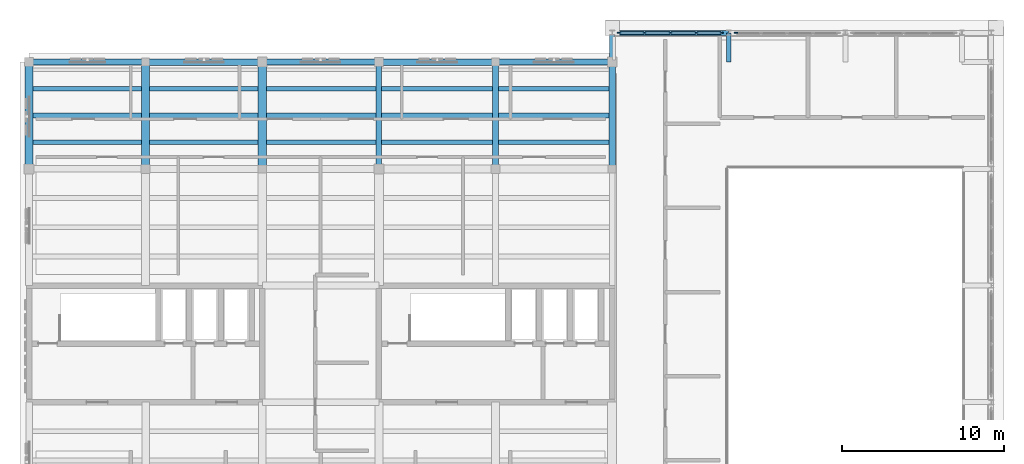
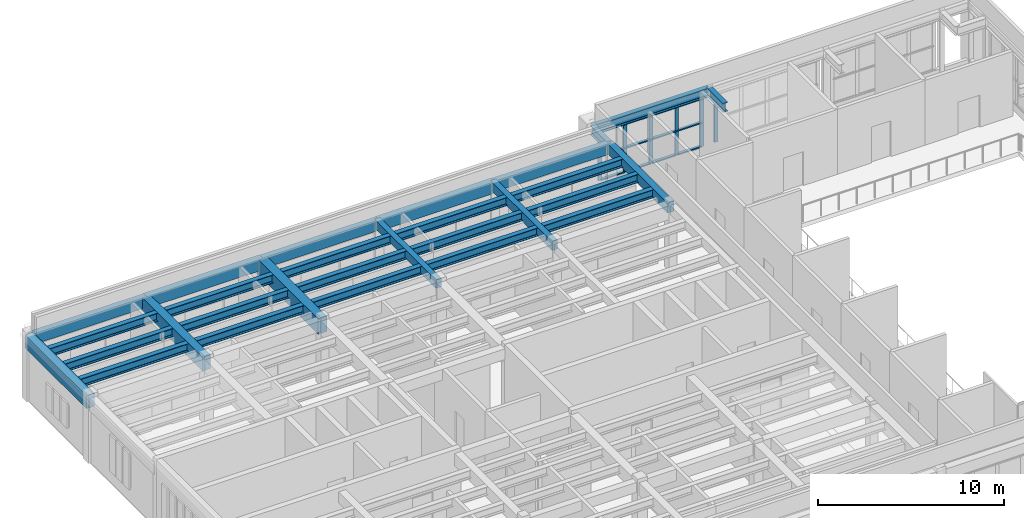
# One storey, part 9 of 18: 29 beams, 18 members, 2 elements without a shape of their own.
"""IFC4 building model written with IfcOpenShell, lengths in metres."""

from ifc_helpers import new_model, si_unit, direction, frame, origin, origin_2d, place, context, subcontext, project, spatial, rectangle, i_section, extrude, material, material_profile, profile_set, type_object, element, aggregate, save


model = new_model("IFC4")

# Units and contexts
model_context = context("Model", 3, precision=1e-05, world=origin(), true_north=direction((0.0, 1.0)))
body_context = subcontext(model_context, "Body", "Model", "MODEL_VIEW")
ifc_project = project(units=[si_unit("LENGTHUNIT", "METRE"), si_unit("AREAUNIT", "SQUARE_METRE"), si_unit("VOLUMEUNIT", "CUBIC_METRE"), si_unit("PLANEANGLEUNIT", "RADIAN"), si_unit("MASSUNIT", "GRAM", prefix="KILO")], contexts=[model_context])

# Site, building, storey
site_placement = place(None, origin())
site = spatial("IfcSite", under=ifc_project, at=site_placement, CompositionType="ELEMENT")
building_placement = place(site_placement, origin())
building = spatial("IfcBuilding", under=site, at=building_placement, Name="Mithqara Police Headquarters", CompositionType="ELEMENT")
storey_placement = place(building_placement, frame((0.0, 0.0, 30.89990234375)))
storey = spatial("IfcBuildingStorey", under=building, at=storey_placement, Name="L07", CompositionType="ELEMENT", Elevation=30.89990234375)

# Beams
ifc_material_1 = material(Name="Steel S355JR", Category="steel")
ifc_material_profile_1 = material_profile(ifc_material_1, i_section(OverallWidth=0.300048828125, OverallDepth=0.550048828125, WebThickness=0.014892578125, FlangeThickness=0.029052734375, FilletRadius=0.027099609375, at=origin_2d()), Name="HEB 550")
ifc_profile_set_1 = profile_set([ifc_material_profile_1], Name="Steel S355JR")
beam_type_1 = type_object("IfcBeamType", Name="BEAM HEB550", PredefinedType="BEAM", material=ifc_profile_set_1)
for number, where, z_axis, x_axis, name in (
    (1, (108.85009765625, 109.050048828125, 3.97509765625), (1.0, 0.0, 0.0), (0.0, 1.0, 0.0), "L07 Composite Steel Joist 16-17/R.1"),
    (2, (108.85009765625, 110.699951171875, 3.97509765625), (1.0, 0.0, 0.0), (0.0, 1.0, 0.0), "L07 Composite Steel Joist 16-17/R.2"),
    (3, (108.85009765625, 112.35009765625, 3.97509765625), (1.0, 0.0, 0.0), (0.0, 1.0, 0.0), "L07 Composite Steel Joist 16-17/R.3"),
):
    element("IfcBeam", number, at=place(storey_placement, frame(where, z_axis=z_axis, x_axis=x_axis)), inside=storey, type_object=beam_type_1, Name=name, PredefinedType="BEAM", context=body_context, shape_type="SweptSolid", body=[
        extrude(i_section(OverallWidth=0.300048828125, OverallDepth=0.550048828125, WebThickness=0.014892578125, FlangeThickness=0.029052734375, FilletRadius=0.027099609375, at=origin_2d()), origin(), (0.0, 0.0, 1.0), 6.699951171875),
    ])
for number, where, z_axis, x_axis, name in (
    (4, (116.050048828125, 109.050048828125, 3.97509765625), (1.0, 0.0, 0.0), (0.0, 1.0, 0.0), "L07 Composite Steel Joist 17-18/R.1"),
    (5, (116.050048828125, 110.699951171875, 3.97509765625), (1.0, 0.0, 0.0), (0.0, 1.0, 0.0), "L07 Composite Steel Joist 17-18/R.2"),
    (6, (116.050048828125, 112.35009765625, 3.97509765625), (1.0, 0.0, 0.0), (0.0, 1.0, 0.0), "L07 Composite Steel Joist 17-18/R.3"),
):
    element("IfcBeam", number, at=place(storey_placement, frame(where, z_axis=z_axis, x_axis=x_axis)), inside=storey, type_object=beam_type_1, Name=name, PredefinedType="BEAM", context=body_context, shape_type="SweptSolid", body=[
        extrude(i_section(OverallWidth=0.300048828125, OverallDepth=0.550048828125, WebThickness=0.014892578125, FlangeThickness=0.029052734375, FilletRadius=0.027099609375, at=origin_2d()), origin(), (0.0, 0.0, 1.0), 6.675048828125),
    ])
for number, where, z_axis, x_axis, name in (
    (7, (123.27490234375, 109.050048828125, 3.97509765625), (1.0, 0.0, 0.0), (0.0, 1.0, 0.0), "L07 Composite Steel Joist 18-19/R.1"),
    (8, (123.27490234375, 110.699951171875, 3.97509765625), (1.0, 0.0, 0.0), (0.0, 1.0, 0.0), "L07 Composite Steel Joist 18-19/R.2"),
    (9, (123.27490234375, 112.35009765625, 3.97509765625), (1.0, 0.0, 0.0), (0.0, 1.0, 0.0), "L07 Composite Steel Joist 18-19/R.3"),
):
    element("IfcBeam", number, at=place(storey_placement, frame(where, z_axis=z_axis, x_axis=x_axis)), inside=storey, type_object=beam_type_1, Name=name, PredefinedType="BEAM", context=body_context, shape_type="SweptSolid", body=[
        extrude(i_section(OverallWidth=0.300048828125, OverallDepth=0.550048828125, WebThickness=0.014892578125, FlangeThickness=0.029052734375, FilletRadius=0.027099609375, at=origin_2d()), origin(), (0.0, 0.0, 1.0), 6.75),
    ])
for number, where, z_axis, x_axis, name in (
    (10, (130.375, 109.050048828125, 3.97509765625), (1.0, 0.0, 0.0), (0.0, 1.0, 0.0), "L07 Composite Steel Joist 19-20/R.1"),
    (11, (130.375, 110.699951171875, 3.97509765625), (1.0, 0.0, 0.0), (0.0, 1.0, 0.0), "L07 Composite Steel Joist 19-20/R.2"),
    (12, (130.375, 112.35009765625, 3.97509765625), (1.0, 0.0, 0.0), (0.0, 1.0, 0.0), "L07 Composite Steel Joist 19-20/R.3"),
):
    element("IfcBeam", number, at=place(storey_placement, frame(where, z_axis=z_axis, x_axis=x_axis)), inside=storey, type_object=beam_type_1, Name=name, PredefinedType="BEAM", context=body_context, shape_type="SweptSolid", body=[
        extrude(i_section(OverallWidth=0.300048828125, OverallDepth=0.550048828125, WebThickness=0.014892578125, FlangeThickness=0.029052734375, FilletRadius=0.027099609375, at=origin_2d()), origin(), (0.0, 0.0, 1.0), 6.85009765625),
    ])
for number, where, z_axis, x_axis, name in (
    (13, (137.574951171875, 109.050048828125, 3.97509765625), (1.0, 0.0, 0.0), (0.0, 1.0, 0.0), "L07 Composite Steel Joist 20-21/R.1"),
    (14, (137.574951171875, 110.699951171875, 3.97509765625), (1.0, 0.0, 0.0), (0.0, 1.0, 0.0), "L07 Composite Steel Joist 20-21/R.2"),
    (15, (137.574951171875, 112.35009765625, 3.97509765625), (1.0, 0.0, 0.0), (0.0, 1.0, 0.0), "L07 Composite Steel Joist 20-21/R.3"),
):
    element("IfcBeam", number, at=place(storey_placement, frame(where, z_axis=z_axis, x_axis=x_axis)), inside=storey, type_object=beam_type_1, Name=name, PredefinedType="BEAM", context=body_context, shape_type="SweptSolid", body=[
        extrude(i_section(OverallWidth=0.300048828125, OverallDepth=0.550048828125, WebThickness=0.014892578125, FlangeThickness=0.029052734375, FilletRadius=0.027099609375, at=origin_2d()), origin(), (0.0, 0.0, 1.0), 6.824951171875),
    ])
ifc_material_2 = material(Name="Concrete C40/50", Category="concrete")
ifc_material_profile_2 = material_profile(ifc_material_2, rectangle(XDim=0.35009765625, YDim=0.550048828125, at=origin_2d()), Name="RC 350x550")
ifc_profile_set_2 = profile_set([ifc_material_profile_2], Name="Concrete C40/50")
beam_type_2 = type_object("IfcBeamType", Name="BEAM RC350X550", PredefinedType="BEAM", material=ifc_profile_set_2)
beam_1_placement = place(storey_placement, frame((130.199951171875, 107.39990234375, 3.97509765625), z_axis=(0.0, 1.0, 0.0), x_axis=(-1.0, 0.0, 0.0)))
element("IfcBeam", 16, at=beam_1_placement, inside=storey, type_object=beam_type_2, Name="L07 Girder 19/R-S", PredefinedType="BEAM", context=body_context, shape_type="SweptSolid", body=[
    extrude(rectangle(XDim=0.35009765625, YDim=0.550048828125, at=origin_2d()), origin(), (0.0, 0.0, 1.0), 6.60009765625),
])
ifc_material_profile_3 = material_profile(ifc_material_2, rectangle(XDim=0.35009765625, YDim=0.60009765625, at=origin_2d()), Name="RC 350x600")
ifc_profile_set_3 = profile_set([ifc_material_profile_3], Name="Concrete C40/50")
beam_type_3 = type_object("IfcBeamType", Name="BEAM RC350X600", PredefinedType="BEAM", material=ifc_profile_set_3)
beam_2_placement = place(storey_placement, frame((137.39990234375, 107.39990234375, 3.9501953125), z_axis=(0.0, 1.0, 0.0), x_axis=(-1.0, 0.0, 0.0)))
element("IfcBeam", 17, at=beam_2_placement, inside=storey, type_object=beam_type_3, Name="L07 Girder 20/R-S", PredefinedType="BEAM", context=body_context, shape_type="SweptSolid", body=[
    extrude(rectangle(XDim=0.35009765625, YDim=0.60009765625, at=origin_2d()), origin(), (0.0, 0.0, 1.0), 6.60009765625),
])
ifc_material_profile_4 = material_profile(ifc_material_2, rectangle(XDim=0.39990234375, YDim=0.64990234375, at=origin_2d()), Name="RC 400x650")
ifc_profile_set_4 = profile_set([ifc_material_profile_4], Name="Concrete C40/50")
beam_type_4 = type_object("IfcBeamType", Name="BEAM RC400X650", PredefinedType="BEAM", material=ifc_profile_set_4)
beam_3_placement = place(storey_placement, frame((144.60009765625, 107.39990234375, 3.925048828125), z_axis=(0.0, 1.0, 0.0), x_axis=(-1.0, 0.0, 0.0)))
element("IfcBeam", 18, at=beam_3_placement, inside=storey, type_object=beam_type_4, Name="L07 Girder 21/R-S", PredefinedType="BEAM", context=body_context, shape_type="SweptSolid", body=[
    extrude(rectangle(XDim=0.39990234375, YDim=0.64990234375, at=origin_2d()), origin(), (0.0, 0.0, 1.0), 6.60009765625),
])
ifc_material_profile_5 = material_profile(ifc_material_2, rectangle(XDim=0.5, YDim=0.85009765625, at=origin_2d()), Name="RC 500x850")
ifc_profile_set_5 = profile_set([ifc_material_profile_5], Name="Concrete C40/50")
beam_type_5 = type_object("IfcBeamType", Name="BEAM RC500X850", PredefinedType="BEAM", material=ifc_profile_set_5)
beam_4_placement = place(storey_placement, frame((108.60009765625, 107.39990234375, 3.8251953125), z_axis=(0.0, 1.0, 0.0), x_axis=(-1.0, 0.0, 0.0)))
element("IfcBeam", 19, at=beam_4_placement, inside=storey, type_object=beam_type_5, Name="L07 Girder 16/R-S", PredefinedType="BEAM", context=body_context, shape_type="SweptSolid", body=[
    extrude(rectangle(XDim=0.5, YDim=0.85009765625, at=origin_2d()), origin(), (0.0, 0.0, 1.0), 6.60009765625),
])
ifc_material_3 = material(Name="Concrete C50/60", Category="concrete")
ifc_material_profile_6 = material_profile(ifc_material_3, rectangle(XDim=0.5, YDim=0.89990234375, at=origin_2d()), Name="RC 500x900")
ifc_profile_set_6 = profile_set([ifc_material_profile_6], Name="Concrete C50/60")
beam_type_6 = type_object("IfcBeamType", Name="BEAM RC500X900", PredefinedType="BEAM", material=ifc_profile_set_6)
beam_5_placement = place(storey_placement, frame((115.800048828125, 107.39990234375, 3.800048828125), z_axis=(0.0, 1.0, 0.0), x_axis=(-1.0, 0.0, 0.0)))
element("IfcBeam", 20, at=beam_5_placement, inside=storey, type_object=beam_type_6, Name="L07 Girder 17/R-S", PredefinedType="BEAM", context=body_context, shape_type="SweptSolid", body=[
    extrude(rectangle(XDim=0.5, YDim=0.89990234375, at=origin_2d()), origin(), (0.0, 0.0, 1.0), 6.60009765625),
])
ifc_material_profile_7 = material_profile(ifc_material_3, rectangle(XDim=0.550048828125, YDim=1.0, at=origin_2d()), Name="RC 550x1000")
ifc_profile_set_7 = profile_set([ifc_material_profile_7], Name="Concrete C50/60")
beam_type_7 = type_object("IfcBeamType", Name="BEAM RC550X1000", PredefinedType="BEAM", material=ifc_profile_set_7)
beam_6_placement = place(storey_placement, frame((123.0, 107.39990234375, 3.75), z_axis=(0.0, 1.0, 0.0), x_axis=(-1.0, 0.0, 0.0)))
element("IfcBeam", 21, at=beam_6_placement, inside=storey, type_object=beam_type_7, Name="L07 Girder 18/R-S", PredefinedType="BEAM", context=body_context, shape_type="SweptSolid", body=[
    extrude(rectangle(XDim=0.550048828125, YDim=1.0, at=origin_2d()), origin(), (0.0, 0.0, 1.0), 6.60009765625),
])

# Curtain wall, member
ifc_material_4 = material(Name="Bronze anodised aluminium 6063-T6", Category="aluminium")
curtain_wall_type = type_object("IfcCurtainWallType", Name="CURTAIN WALL 6400X3200", PredefinedType="USERDEFINED", material=ifc_material_4)
curtain_wall_1_placement = place(storey_placement, origin())
curtain_wall_1 = element("IfcCurtainWall", 22, at=curtain_wall_1_placement, inside=storey, type_object=curtain_wall_type, Name="L07 Unitised Glazing CW-09 (CW-CUBE-L07-P0-E03-S0-01)", ObjectType="UNITISED GLAZING", PredefinedType="USERDEFINED")
ifc_material_profile_8 = material_profile(ifc_material_4, rectangle(XDim=0.074951171875, YDim=0.219970703125, at=origin_2d()), Name="CWM 75x220")
ifc_profile_set_8 = profile_set([ifc_material_profile_8], Name="Bronze anodised aluminium 6063-T6")
member_type_1 = type_object("IfcMemberType", Name="CWMULLION 75X220", PredefinedType="MULLION", material=ifc_profile_set_8)
member_1_placement = place(storey_placement, frame((152.237548828125, 115.800048828125, 0.4501953125), z_axis=(0.0, 0.0, 1.0), x_axis=(0.0, -1.0, 0.0)))
member_1 = element("IfcMember", 23, at=member_1_placement, type_object=member_type_1, Name="CW-09 mullion 5", PredefinedType="MULLION", context=body_context, shape_type="SweptSolid", body=[
    extrude(rectangle(XDim=0.074951171875, YDim=0.219970703125, at=origin_2d()), origin(), (0.0, 0.0, 1.0), 3.199951171875),
])
aggregate(curtain_wall_1, [member_1])

# Curtain wall, members
curtain_wall_2_placement = place(storey_placement, origin())
curtain_wall_2 = element("IfcCurtainWall", 24, at=curtain_wall_2_placement, inside=storey, type_object=curtain_wall_type, Name="L07 Unitised Glazing CW-09 (CW-CUBE-L07-P0-E03-S0-02)", ObjectType="UNITISED GLAZING", PredefinedType="USERDEFINED")
member_2_placement = place(storey_placement, frame((151.362548828125, 115.800048828125, 0.4501953125), z_axis=(0.0, 0.0, 1.0), x_axis=(0.0, -1.0, 0.0)))
member_2 = element("IfcMember", 25, at=member_2_placement, type_object=member_type_1, Name="CW-09 mullion 1", PredefinedType="MULLION", context=body_context, shape_type="SweptSolid", body=[
    extrude(rectangle(XDim=0.074951171875, YDim=0.219970703125, at=origin_2d()), origin(), (0.0, 0.0, 1.0), 3.199951171875),
])
member_3_placement = place(storey_placement, frame((149.800048828125, 115.800048828125, 0.4501953125), z_axis=(0.0, 0.0, 1.0), x_axis=(0.0, -1.0, 0.0)))
member_3 = element("IfcMember", 26, at=member_3_placement, type_object=member_type_1, Name="CW-09 mullion 2", PredefinedType="MULLION", context=body_context, shape_type="SweptSolid", body=[
    extrude(rectangle(XDim=0.074951171875, YDim=0.219970703125, at=origin_2d()), origin(), (0.0, 0.0, 1.0), 3.199951171875),
])
member_4_placement = place(storey_placement, frame((148.199951171875, 115.800048828125, 0.4501953125), z_axis=(0.0, 0.0, 1.0), x_axis=(0.0, -1.0, 0.0)))
member_4 = element("IfcMember", 27, at=member_4_placement, type_object=member_type_1, Name="CW-09 mullion 3", PredefinedType="MULLION", context=body_context, shape_type="SweptSolid", body=[
    extrude(rectangle(XDim=0.074951171875, YDim=0.219970703125, at=origin_2d()), origin(), (0.0, 0.0, 1.0), 3.199951171875),
])
member_5_placement = place(storey_placement, frame((146.60009765625, 115.800048828125, 0.4501953125), z_axis=(0.0, 0.0, 1.0), x_axis=(0.0, -1.0, 0.0)))
member_5 = element("IfcMember", 28, at=member_5_placement, type_object=member_type_1, Name="CW-09 mullion 4", PredefinedType="MULLION", context=body_context, shape_type="SweptSolid", body=[
    extrude(rectangle(XDim=0.074951171875, YDim=0.219970703125, at=origin_2d()), origin(), (0.0, 0.0, 1.0), 3.199951171875),
])
member_6_placement = place(storey_placement, frame((145.03759765625, 115.800048828125, 0.4501953125), z_axis=(0.0, 0.0, 1.0), x_axis=(0.0, -1.0, 0.0)))
member_6 = element("IfcMember", 29, at=member_6_placement, type_object=member_type_1, Name="CW-09 mullion 5", PredefinedType="MULLION", context=body_context, shape_type="SweptSolid", body=[
    extrude(rectangle(XDim=0.074951171875, YDim=0.219970703125, at=origin_2d()), origin(), (0.0, 0.0, 1.0), 3.199951171875),
])
ifc_material_profile_9 = material_profile(ifc_material_4, rectangle(XDim=0.179931640625, YDim=0.074951171875, at=origin_2d()), Name="CWT 180x75")
ifc_profile_set_9 = profile_set([ifc_material_profile_9], Name="Bronze anodised aluminium 6063-T6")
member_type_2 = type_object("IfcMemberType", Name="CWTRANSOM 180X75", PredefinedType="USERDEFINED", material=ifc_profile_set_9)
member_7_placement = place(storey_placement, frame((151.324951171875, 115.800048828125, 0.487548828125), z_axis=(-1.0, 0.0, 0.0), x_axis=(0.0, -1.0, 0.0)))
member_7 = element("IfcMember", 30, at=member_7_placement, type_object=member_type_2, Name="CW-09 transom 1.1", ObjectType="TRANSOM", PredefinedType="USERDEFINED", context=body_context, shape_type="SweptSolid", body=[
    extrude(rectangle(XDim=0.179931640625, YDim=0.074951171875, at=origin_2d()), origin(), (0.0, 0.0, 1.0), 1.487548828125),
])
member_8_placement = place(storey_placement, frame((151.324951171875, 115.800048828125, 2.050048828125), z_axis=(-1.0, 0.0, 0.0), x_axis=(0.0, -1.0, 0.0)))
member_8 = element("IfcMember", 31, at=member_8_placement, type_object=member_type_2, Name="CW-09 transom 1.2", ObjectType="TRANSOM", PredefinedType="USERDEFINED", context=body_context, shape_type="SweptSolid", body=[
    extrude(rectangle(XDim=0.179931640625, YDim=0.074951171875, at=origin_2d()), origin(), (0.0, 0.0, 1.0), 1.487548828125),
])
member_9_placement = place(storey_placement, frame((151.324951171875, 115.800048828125, 3.612548828125), z_axis=(-1.0, 0.0, 0.0), x_axis=(0.0, -1.0, 0.0)))
member_9 = element("IfcMember", 32, at=member_9_placement, type_object=member_type_2, Name="CW-09 transom 1.3", ObjectType="TRANSOM", PredefinedType="USERDEFINED", context=body_context, shape_type="SweptSolid", body=[
    extrude(rectangle(XDim=0.179931640625, YDim=0.074951171875, at=origin_2d()), origin(), (0.0, 0.0, 1.0), 1.487548828125),
])
member_10_placement = place(storey_placement, frame((149.762451171875, 115.800048828125, 0.487548828125), z_axis=(-1.0, 0.0, 0.0), x_axis=(0.0, -1.0, 0.0)))
member_10 = element("IfcMember", 33, at=member_10_placement, type_object=member_type_2, Name="CW-09 transom 2.1", ObjectType="TRANSOM", PredefinedType="USERDEFINED", context=body_context, shape_type="SweptSolid", body=[
    extrude(rectangle(XDim=0.179931640625, YDim=0.074951171875, at=origin_2d()), origin(), (0.0, 0.0, 1.0), 1.52490234375),
])
member_11_placement = place(storey_placement, frame((149.762451171875, 115.800048828125, 2.050048828125), z_axis=(-1.0, 0.0, 0.0), x_axis=(0.0, -1.0, 0.0)))
member_11 = element("IfcMember", 34, at=member_11_placement, type_object=member_type_2, Name="CW-09 transom 2.2", ObjectType="TRANSOM", PredefinedType="USERDEFINED", context=body_context, shape_type="SweptSolid", body=[
    extrude(rectangle(XDim=0.179931640625, YDim=0.074951171875, at=origin_2d()), origin(), (0.0, 0.0, 1.0), 1.52490234375),
])
member_12_placement = place(storey_placement, frame((149.762451171875, 115.800048828125, 3.612548828125), z_axis=(-1.0, 0.0, 0.0), x_axis=(0.0, -1.0, 0.0)))
member_12 = element("IfcMember", 35, at=member_12_placement, type_object=member_type_2, Name="CW-09 transom 2.3", ObjectType="TRANSOM", PredefinedType="USERDEFINED", context=body_context, shape_type="SweptSolid", body=[
    extrude(rectangle(XDim=0.179931640625, YDim=0.074951171875, at=origin_2d()), origin(), (0.0, 0.0, 1.0), 1.52490234375),
])
member_13_placement = place(storey_placement, frame((148.16259765625, 115.800048828125, 0.487548828125), z_axis=(-1.0, 0.0, 0.0), x_axis=(0.0, -1.0, 0.0)))
member_13 = element("IfcMember", 36, at=member_13_placement, type_object=member_type_2, Name="CW-09 transom 3.1", ObjectType="TRANSOM", PredefinedType="USERDEFINED", context=body_context, shape_type="SweptSolid", body=[
    extrude(rectangle(XDim=0.179931640625, YDim=0.074951171875, at=origin_2d()), origin(), (0.0, 0.0, 1.0), 1.525146484375),
])
member_14_placement = place(storey_placement, frame((148.16259765625, 115.800048828125, 2.050048828125), z_axis=(-1.0, 0.0, 0.0), x_axis=(0.0, -1.0, 0.0)))
member_14 = element("IfcMember", 37, at=member_14_placement, type_object=member_type_2, Name="CW-09 transom 3.2", ObjectType="TRANSOM", PredefinedType="USERDEFINED", context=body_context, shape_type="SweptSolid", body=[
    extrude(rectangle(XDim=0.179931640625, YDim=0.074951171875, at=origin_2d()), origin(), (0.0, 0.0, 1.0), 1.525146484375),
])
member_15_placement = place(storey_placement, frame((148.16259765625, 115.800048828125, 3.612548828125), z_axis=(-1.0, 0.0, 0.0), x_axis=(0.0, -1.0, 0.0)))
member_15 = element("IfcMember", 38, at=member_15_placement, type_object=member_type_2, Name="CW-09 transom 3.3", ObjectType="TRANSOM", PredefinedType="USERDEFINED", context=body_context, shape_type="SweptSolid", body=[
    extrude(rectangle(XDim=0.179931640625, YDim=0.074951171875, at=origin_2d()), origin(), (0.0, 0.0, 1.0), 1.525146484375),
])
member_16_placement = place(storey_placement, frame((146.5625, 115.800048828125, 0.487548828125), z_axis=(-1.0, 0.0, 0.0), x_axis=(0.0, -1.0, 0.0)))
member_16 = element("IfcMember", 39, at=member_16_placement, type_object=member_type_2, Name="CW-09 transom 4.1", ObjectType="TRANSOM", PredefinedType="USERDEFINED", context=body_context, shape_type="SweptSolid", body=[
    extrude(rectangle(XDim=0.179931640625, YDim=0.074951171875, at=origin_2d()), origin(), (0.0, 0.0, 1.0), 1.487548828125),
])
member_17_placement = place(storey_placement, frame((146.5625, 115.800048828125, 2.050048828125), z_axis=(-1.0, 0.0, 0.0), x_axis=(0.0, -1.0, 0.0)))
member_17 = element("IfcMember", 40, at=member_17_placement, type_object=member_type_2, Name="CW-09 transom 4.2", ObjectType="TRANSOM", PredefinedType="USERDEFINED", context=body_context, shape_type="SweptSolid", body=[
    extrude(rectangle(XDim=0.179931640625, YDim=0.074951171875, at=origin_2d()), origin(), (0.0, 0.0, 1.0), 1.487548828125),
])
member_18_placement = place(storey_placement, frame((146.5625, 115.800048828125, 3.612548828125), z_axis=(-1.0, 0.0, 0.0), x_axis=(0.0, -1.0, 0.0)))
member_18 = element("IfcMember", 41, at=member_18_placement, type_object=member_type_2, Name="CW-09 transom 4.3", ObjectType="TRANSOM", PredefinedType="USERDEFINED", context=body_context, shape_type="SweptSolid", body=[
    extrude(rectangle(XDim=0.179931640625, YDim=0.074951171875, at=origin_2d()), origin(), (0.0, 0.0, 1.0), 1.487548828125),
])
aggregate(curtain_wall_2, [member_2, member_3, member_4, member_5, member_6, member_7, member_8, member_9, member_10, member_11, member_12, member_13, member_14, member_15, member_16, member_17, member_18])

# Beams
ifc_material_profile_10 = material_profile(ifc_material_2, rectangle(XDim=0.35009765625, YDim=0.699951171875, at=origin_2d()), Name="SPB 350x700")
ifc_profile_set_10 = profile_set([ifc_material_profile_10], Name="Concrete C40/50")
beam_type_8 = type_object("IfcBeamType", Name="SPANDREL 350X700", PredefinedType="SPANDREL", material=ifc_profile_set_10)
for number, where, z_axis, x_axis, name in (
    (42, (108.60009765625, 114.0, 3.900146484375), (1.0, 0.0, 0.0), (0.0, 1.0, 0.0), "L07 Girder 16-17/S"),
    (43, (123.0, 114.0, 3.900146484375), (1.0, 0.0, 0.0), (0.0, 1.0, 0.0), "L07 Girder 18-19/S"),
):
    element("IfcBeam", number, at=place(storey_placement, frame(where, z_axis=z_axis, x_axis=x_axis)), inside=storey, type_object=beam_type_8, Name=name, PredefinedType="SPANDREL", context=body_context, shape_type="SweptSolid", body=[
        extrude(rectangle(XDim=0.35009765625, YDim=0.699951171875, at=origin_2d()), origin(), (0.0, 0.0, 1.0), 7.199951171875),
    ])
beam_7_placement = place(storey_placement, frame((137.39990234375, 114.0, 3.900146484375), z_axis=(1.0, 0.0, 0.0), x_axis=(0.0, 1.0, 0.0)))
element("IfcBeam", 44, at=beam_7_placement, inside=storey, type_object=beam_type_8, Name="L07 Girder 20-21/S", PredefinedType="SPANDREL", context=body_context, shape_type="SweptSolid", body=[
    extrude(rectangle(XDim=0.35009765625, YDim=0.699951171875, at=origin_2d()), origin(), (0.0, 0.0, 1.0), 7.2001953125),
])
ifc_material_profile_11 = material_profile(ifc_material_2, rectangle(XDim=0.39990234375, YDim=0.75, at=origin_2d()), Name="SPB 400x750")
ifc_profile_set_11 = profile_set([ifc_material_profile_11], Name="Concrete C40/50")
beam_type_9 = type_object("IfcBeamType", Name="SPANDREL 400X750", PredefinedType="SPANDREL", material=ifc_profile_set_11)
for number, where, z_axis, x_axis, name in (
    (45, (115.800048828125, 114.0, 3.875), (1.0, 0.0, 0.0), (0.0, 1.0, 0.0), "L07 Girder 17-18/S"),
    (46, (130.199951171875, 114.0, 3.875), (1.0, 0.0, 0.0), (0.0, 1.0, 0.0), "L07 Girder 19-20/S"),
):
    element("IfcBeam", number, at=place(storey_placement, frame(where, z_axis=z_axis, x_axis=x_axis)), inside=storey, type_object=beam_type_9, Name=name, PredefinedType="SPANDREL", context=body_context, shape_type="SweptSolid", body=[
        extrude(rectangle(XDim=0.39990234375, YDim=0.75, at=origin_2d()), origin(), (0.0, 0.0, 1.0), 7.199951171875),
    ])
ifc_material_profile_12 = material_profile(ifc_material_1, i_section(OverallWidth=0.300048828125, OverallDepth=0.60009765625, WebThickness=0.015380859375, FlangeThickness=0.030029296875, FilletRadius=0.027099609375, at=origin_2d()), Name="HEB 600")
ifc_profile_set_12 = profile_set([ifc_material_profile_12], Name="Steel S355JR")
beam_type_10 = type_object("IfcBeamType", Name="TRANSFER HEB600", PredefinedType="BEAM", material=ifc_profile_set_12)
for number, where, z_axis, x_axis, name in (
    (47, (144.60009765625, 114.0, 3.9501953125), (0.0, 1.0, 0.0), (-1.0, 0.0, 0.0), "L07 Command Cube Cantilever Transfer Girder X-21"),
    (48, (151.800048828125, 114.0, 3.9501953125), (0.0, 1.0, 0.0), (-1.0, 0.0, 0.0), "L07 Command Cube Cantilever Transfer Girder X-22"),
):
    element("IfcBeam", number, at=place(storey_placement, frame(where, z_axis=z_axis, x_axis=x_axis)), inside=storey, type_object=beam_type_10, Name=name, PredefinedType="BEAM", context=body_context, shape_type="SweptSolid", body=[
        extrude(i_section(OverallWidth=0.300048828125, OverallDepth=0.60009765625, WebThickness=0.015380859375, FlangeThickness=0.030029296875, FilletRadius=0.027099609375, at=origin_2d()), origin(), (0.0, 0.0, 1.0), 1.800048828125),
    ])
beam_8_placement = place(storey_placement, frame((144.60009765625, 115.800048828125, 3.9501953125), z_axis=(1.0, 0.0, 0.0), x_axis=(0.0, 1.0, 0.0)))
element("IfcBeam", 49, at=beam_8_placement, inside=storey, type_object=beam_type_10, Name="L07 Command Cube North Ring Beam 1", PredefinedType="BEAM", context=body_context, shape_type="SweptSolid", body=[
    extrude(i_section(OverallWidth=0.300048828125, OverallDepth=0.60009765625, WebThickness=0.015380859375, FlangeThickness=0.030029296875, FilletRadius=0.027099609375, at=origin_2d()), origin(), (0.0, 0.0, 1.0), 7.199951171875),
])

save(model, "model.ifc")
